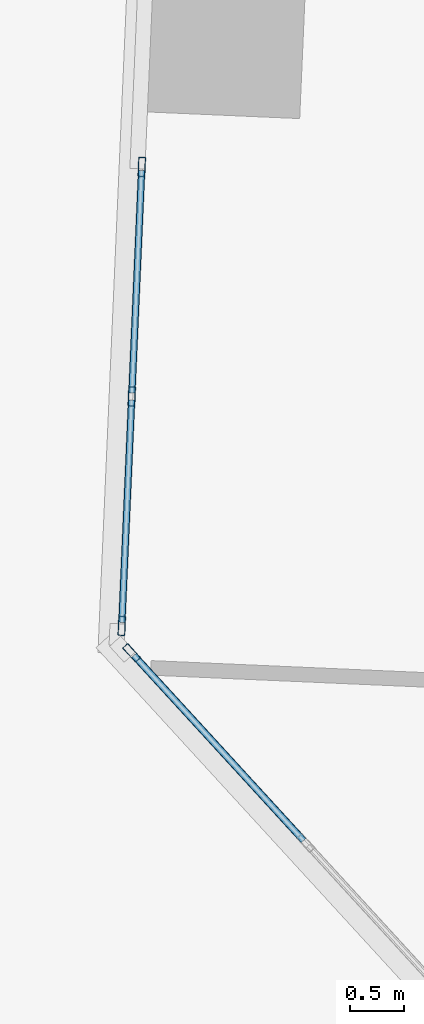
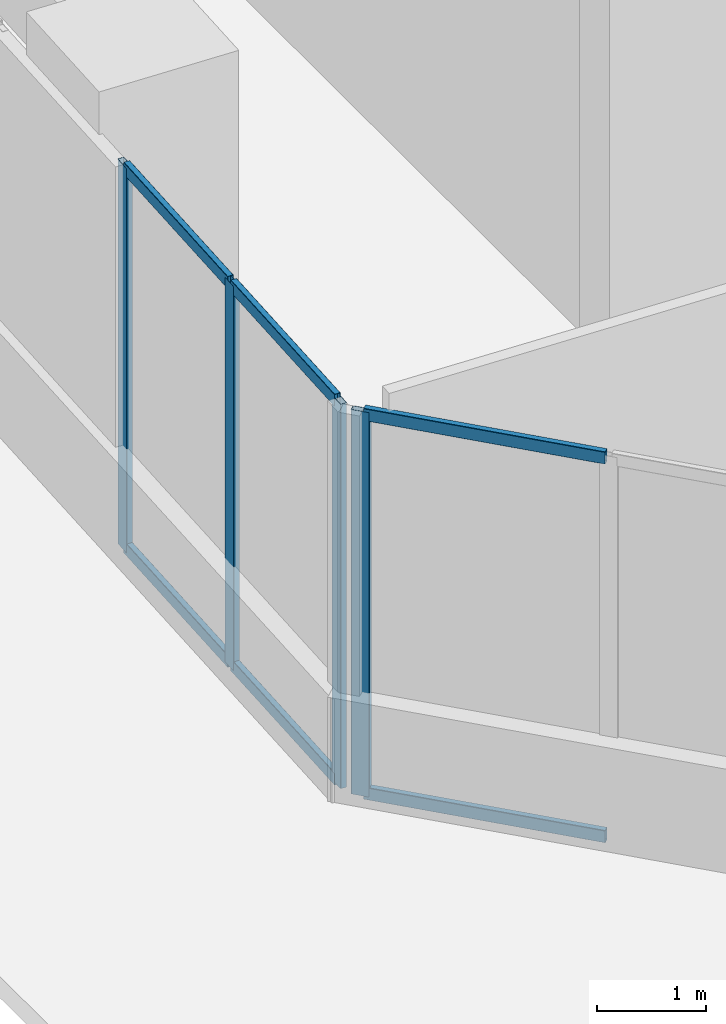
# One storey, part 5 of 33: 10 members, 2 elements without a shape of their own.
"""IFC4 building model written with IfcOpenShell, lengths in metres."""

from ifc_helpers import new_model, si_unit, direction, frame, origin, origin_2d, place, context, subcontext, project, spatial, hollow_rectangle, extrude, source, transform, mapped, material, material_profile, profile_set, type_object, element, aggregate, save


model = new_model("IFC4")

# Units and contexts
model_context = context("Model", 3, precision=1e-05, world=origin(), true_north=direction((0.0, 1.0)))
body_context = subcontext(model_context, "Body", "Model", "MODEL_VIEW")
ifc_project = project(units=[si_unit("LENGTHUNIT", "METRE"), si_unit("AREAUNIT", "SQUARE_METRE"), si_unit("VOLUMEUNIT", "CUBIC_METRE"), si_unit("PLANEANGLEUNIT", "RADIAN"), si_unit("MASSUNIT", "GRAM", prefix="KILO")], contexts=[model_context])

# Site, building, storey
site_placement = place(None, origin())
site = spatial("IfcSite", under=ifc_project, at=site_placement, CompositionType="ELEMENT")
building_placement = place(site_placement, origin())
building = spatial("IfcBuilding", under=site, at=building_placement, Name="Torre Montelarca", CompositionType="ELEMENT")
storey_placement = place(building_placement, frame((0.0, 0.0, 32.800048828125)))
storey = spatial("IfcBuildingStorey", under=building, at=storey_placement, Name="L07", CompositionType="ELEMENT", Elevation=32.800048828125)

# Curtain wall, members
ifc_material_1 = material(Name="Insulated low-E laminated glass", Category="glass")
curtain_wall_type = type_object("IfcCurtainWallType", Name="CW-SYS-Z1", PredefinedType="USERDEFINED", material=ifc_material_1)
curtain_wall_1_placement = place(storey_placement, origin())
curtain_wall_1 = element("IfcCurtainWall", 1, at=curtain_wall_1_placement, inside=storey, type_object=curtain_wall_type, Name="L07 Curtain Wall Run CW-T3-L07-E10-B3", ObjectType="UNITISED GLAZING", PredefinedType="USERDEFINED")
ifc_material_2 = material(Name="Anodised aluminium AA 6063-T6", Category="aluminium")
ifc_material_profile_1 = material_profile(ifc_material_2, hollow_rectangle(XDim=0.06494140625, YDim=0.179931640625, WallThickness=0.00390625, InnerFilletRadius=0.00390625, OuterFilletRadius=0.008056640625, at=origin_2d()), Name="ALU65X180X4", Category="aluminium")
ifc_profile_set_1 = profile_set([ifc_material_profile_1], Name="Anodised aluminium AA 6063-T6")
member_type_1 = type_object("IfcMemberType", Name="CWM-ALU180", PredefinedType="MULLION", material=ifc_profile_set_1)
shared_shape_1 = source(origin(), body_context, "Body", "SweptSolid", [
    extrude(hollow_rectangle(XDim=0.06494140625, YDim=0.179931640625, WallThickness=0.00390625, InnerFilletRadius=0.00390625, OuterFilletRadius=0.008056640625, at=origin_2d()), origin(), (0.0, 0.0, 1.0), 4.320068359375),
])
member_1_placement = place(storey_placement, frame((3.543701171875, 23.537841796875, 0.0), z_axis=(0.0, 0.0, 1.0), x_axis=(0.999048603489, -0.043610639363, 0.0)))
member_1 = element("IfcMember", 2, at=member_1_placement, type_object=member_type_1, Name="CW mullion 1", PredefinedType="MULLION", context=body_context, shape_type="MappedRepresentation", body=[
    mapped(shared_shape_1, transform((0.0, 0.0, 0.0), scale=1.0)),
])
member_2_placement = place(storey_placement, frame((3.45068359375, 21.40771484375, 0.0), z_axis=(0.0, 0.0, 1.0), x_axis=(0.999048603489, -0.043610639363, 0.0)))
member_2 = element("IfcMember", 3, at=member_2_placement, type_object=member_type_1, Name="CW mullion 2", PredefinedType="MULLION", context=body_context, shape_type="MappedRepresentation", body=[
    mapped(shared_shape_1, transform((0.0, 0.0, 0.0), scale=1.0)),
])
member_3_placement = place(storey_placement, frame((3.35791015625, 19.277587890625, 0.0), z_axis=(0.0, 0.0, 1.0), x_axis=(0.999048603489, -0.043610639363, 0.0)))
member_3 = element("IfcMember", 4, at=member_3_placement, type_object=member_type_1, Name="CW mullion 3", PredefinedType="MULLION", context=body_context, shape_type="MappedRepresentation", body=[
    mapped(shared_shape_1, transform((0.0, 0.0, 0.0), scale=1.0)),
])

# Curtain wall, member
curtain_wall_2_placement = place(storey_placement, origin())
curtain_wall_2 = element("IfcCurtainWall", 5, at=curtain_wall_2_placement, inside=storey, type_object=curtain_wall_type, Name="L07 Curtain Wall Run CW-T3-L07-E11-B1", ObjectType="UNITISED GLAZING", PredefinedType="USERDEFINED")
member_4_placement = place(storey_placement, frame((3.44921875, 19.02685546875, 0.0), z_axis=(0.0, 0.0, 1.0), x_axis=(0.737282349543, 0.675584737137, 0.0)))
member_4 = element("IfcMember", 6, at=member_4_placement, type_object=member_type_1, Name="CW mullion 1", PredefinedType="MULLION", context=body_context, shape_type="MappedRepresentation", body=[
    mapped(shared_shape_1, transform((0.0, 0.0, 0.0), scale=1.0)),
])

# Member
ifc_material_profile_2 = material_profile(ifc_material_2, hollow_rectangle(XDim=0.06494140625, YDim=0.139892578125, WallThickness=0.00390625, InnerFilletRadius=0.00390625, OuterFilletRadius=0.008056640625, at=origin_2d()), Name="ALU65X140X4", Category="aluminium")
ifc_profile_set_2 = profile_set([ifc_material_profile_2], Name="Anodised aluminium AA 6063-T6")
member_type_2 = type_object("IfcMemberType", Name="CWT-ALU140", PredefinedType="USERDEFINED", material=ifc_profile_set_2)
shared_shape_2 = source(origin(), body_context, "Body", "SweptSolid", [
    extrude(hollow_rectangle(XDim=0.06494140625, YDim=0.139892578125, WallThickness=0.00390625, InnerFilletRadius=0.00390625, OuterFilletRadius=0.008056640625, at=origin_2d()), origin(), (0.0, 0.0, 1.0), 2.067138671875),
])
member_5_placement = place(storey_placement, frame((3.54248046875, 23.50537109375, 0.032470703125), z_axis=(-0.043698612245, -0.999044759402, 0.0), x_axis=(0.999044759402, -0.043698612245, 0.0)))
member_5 = element("IfcMember", 7, at=member_5_placement, type_object=member_type_2, Name="CW transom 1.1", ObjectType="TRANSOM", PredefinedType="USERDEFINED", context=body_context, shape_type="MappedRepresentation", body=[
    mapped(shared_shape_2, transform((0.0, 0.0, 0.0), scale=1.0)),
])

member_6_placement = place(storey_placement, frame((3.54248046875, 23.50537109375, 4.287353515625), z_axis=(-0.043698612245, -0.999044759402, 0.0), x_axis=(0.999044759402, -0.043698612245, 0.0)))
member_6 = element("IfcMember", 8, at=member_6_placement, type_object=member_type_2, Name="CW transom 1.2", ObjectType="TRANSOM", PredefinedType="USERDEFINED", context=body_context, shape_type="MappedRepresentation", body=[
    mapped(shared_shape_2, transform((0.0, 0.0, 0.0), scale=1.0)),
])

member_7_placement = place(storey_placement, frame((3.449462890625, 21.375244140625, 0.032470703125), z_axis=(-0.043698612245, -0.999044759402, 0.0), x_axis=(0.999044759402, -0.043698612245, 0.0)))
member_7 = element("IfcMember", 9, at=member_7_placement, type_object=member_type_2, Name="CW transom 2.1", ObjectType="TRANSOM", PredefinedType="USERDEFINED", context=body_context, shape_type="MappedRepresentation", body=[
    mapped(shared_shape_2, transform((0.0, 0.0, 0.0), scale=1.0)),
])

member_8_placement = place(storey_placement, frame((3.449462890625, 21.375244140625, 4.287353515625), z_axis=(-0.043698612245, -0.999044759402, 0.0), x_axis=(0.999044759402, -0.043698612245, 0.0)))
member_8 = element("IfcMember", 10, at=member_8_placement, type_object=member_type_2, Name="CW transom 2.2", ObjectType="TRANSOM", PredefinedType="USERDEFINED", context=body_context, shape_type="MappedRepresentation", body=[
    mapped(shared_shape_2, transform((0.0, 0.0, 0.0), scale=1.0)),
])

aggregate(curtain_wall_1, [member_1, member_2, member_3, member_5, member_6, member_7, member_8])

shared_shape_3 = source(origin(), body_context, "Body", "SweptSolid", [
    extrude(hollow_rectangle(XDim=0.06494140625, YDim=0.139892578125, WallThickness=0.00390625, InnerFilletRadius=0.00390625, OuterFilletRadius=0.008056640625, at=origin_2d()), origin(), (0.0, 0.0, 1.0), 2.330322265625),
])
member_9_placement = place(storey_placement, frame((3.47119140625, 19.002685546875, 0.032470703125), z_axis=(0.675634485365, -0.737236761282, 0.0), x_axis=(0.737236761282, 0.675634485365, 0.0)))
member_9 = element("IfcMember", 11, at=member_9_placement, type_object=member_type_2, Name="CW transom 1.1", ObjectType="TRANSOM", PredefinedType="USERDEFINED", context=body_context, shape_type="MappedRepresentation", body=[
    mapped(shared_shape_3, transform((0.0, 0.0, 0.0), scale=1.0)),
])

member_10_placement = place(storey_placement, frame((3.47119140625, 19.002685546875, 4.287353515625), z_axis=(0.675634485365, -0.737236761282, 0.0), x_axis=(0.737236761282, 0.675634485365, 0.0)))
member_10 = element("IfcMember", 12, at=member_10_placement, type_object=member_type_2, Name="CW transom 1.2", ObjectType="TRANSOM", PredefinedType="USERDEFINED", context=body_context, shape_type="MappedRepresentation", body=[
    mapped(shared_shape_3, transform((0.0, 0.0, 0.0), scale=1.0)),
])

aggregate(curtain_wall_2, [member_4, member_9, member_10])

save(model, "model.ifc")
